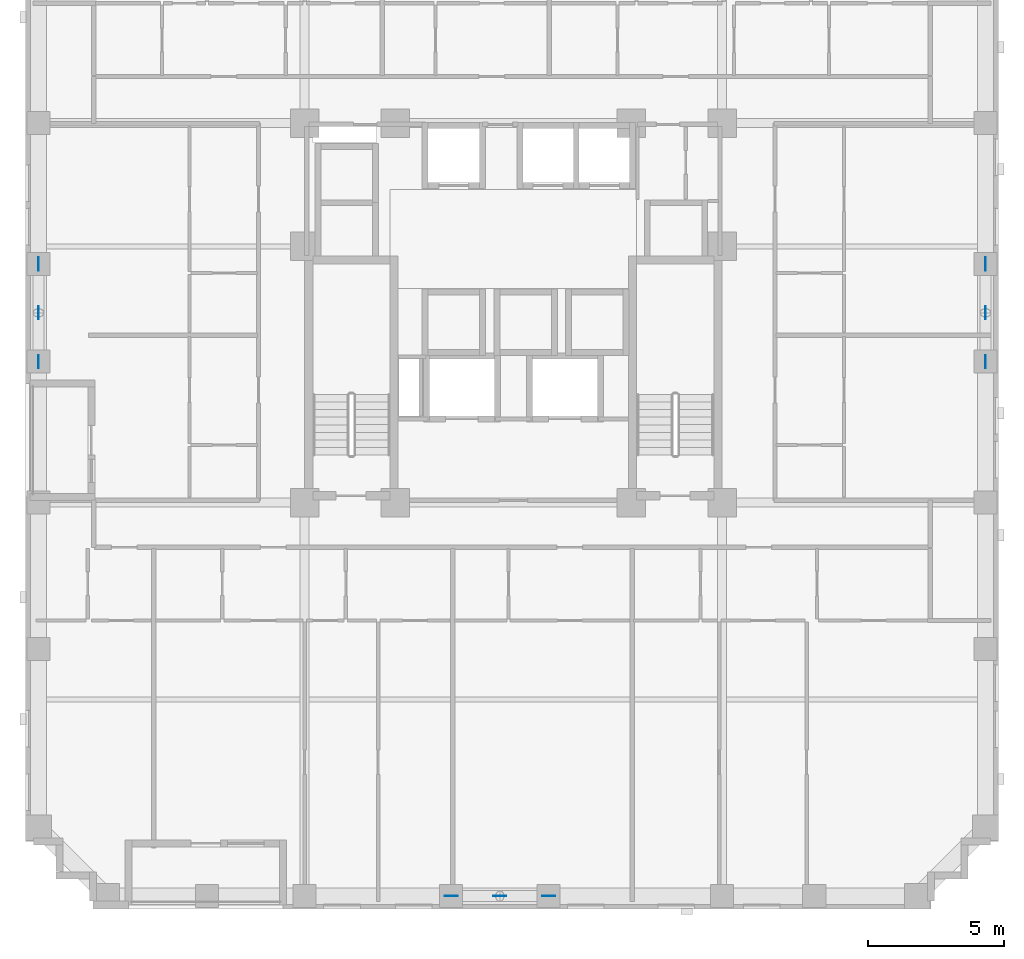
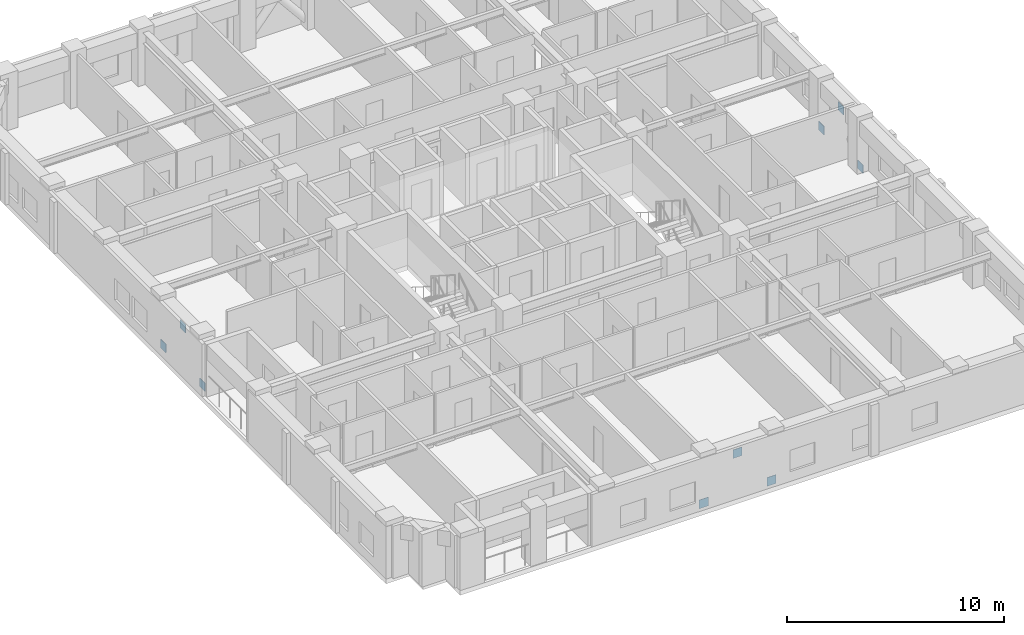
# One storey, part 9 of 12: 9 discrete accessories.
"""IFC4 building model written with IfcOpenShell, lengths in metres."""

from ifc_helpers import new_model, si_unit, derived_unit, direction, frame, origin, origin_2d, place, context, subcontext, project, spatial, rectangle, extrude, material, layer, layer_set, type_object, element, save


model = new_model("IFC4")

# Units and contexts
model_context = context("Model", 3, precision=1e-05, world=origin(), true_north=direction((0.0, 1.0)))
body_context = subcontext(model_context, "Body", "Model", "MODEL_VIEW")
ifc_project = project(units=[si_unit("LENGTHUNIT", "METRE"), si_unit("AREAUNIT", "SQUARE_METRE"), si_unit("VOLUMEUNIT", "CUBIC_METRE"), si_unit("PLANEANGLEUNIT", "RADIAN"), si_unit("MASSUNIT", "GRAM", prefix="KILO"), derived_unit("THERMALTRANSMITTANCEUNIT", [(si_unit("MASSUNIT", "GRAM", prefix="KILO"), 1), (si_unit("TIMEUNIT", "SECOND"), -3), (si_unit("THERMODYNAMICTEMPERATUREUNIT", "KELVIN"), -1)])], contexts=[model_context])

# Site, building, storey
site_placement = place(None, origin())
site = spatial("IfcSite", under=ifc_project, at=site_placement, CompositionType="ELEMENT")
building_placement = place(site_placement, origin())
building = spatial("IfcBuilding", under=site, at=building_placement, Name="Korrvale Station Residences", CompositionType="ELEMENT")
storey_placement = place(building_placement, frame((0.0, 0.0, 94.300048828125)))
storey = spatial("IfcBuildingStorey", under=building, at=storey_placement, Name="L26", CompositionType="ELEMENT", Elevation=94.300048828125)

# Discrete accessories
ifc_material = material(Name="Steel S355", Category="steel")
ifc_layer = layer(ifc_material, 0.02490234375, Name="Steel S355")
ifc_layer_set = layer_set([ifc_layer], Name="Steel S355")
discrete_accessory_type = type_object("IfcDiscreteAccessoryType", Name="ACC-GUSSET-25", PredefinedType="BRACKET", material=ifc_layer_set)
for number, where, z_axis, x_axis, name in (
    (1, (23.199951171875, 0.47998046875, -0.219970703125), (0.0, 0.0, 1.0), (1.0, 0.0, 0.0), "L26 S Brace End Gusset Connection A"),
    (2, (26.800048828125, 0.47998046875, -0.219970703125), (0.0, 0.0, 1.0), (1.0, 0.0, 0.0), "L26 S Brace End Gusset Connection B"),
    (3, (25.0, 0.47998046875, 1.969970703125), (0.0, 0.0, 1.0), (1.0, 0.0, 0.0), "L26 S Brace End Gusset Connection M"),
    (4, (7.97998046875, 20.199951171875, -0.219970703125), (0.0, 0.0, 1.0), (0.0, 1.0, 0.0), "L26 W Brace End Gusset Connection A"),
    (5, (7.97998046875, 23.800048828125, -0.219970703125), (0.0, 0.0, 1.0), (0.0, 1.0, 0.0), "L26 W Brace End Gusset Connection B"),
    (6, (7.97998046875, 22.0, 1.969970703125), (0.0, 0.0, 1.0), (0.0, 1.0, 0.0), "L26 W Brace End Gusset Connection M"),
    (7, (42.919921875, 20.199951171875, -0.219970703125), (0.0, 0.0, 1.0), (0.0, 1.0, 0.0), "L26 E Brace End Gusset Connection A"),
    (8, (42.919921875, 23.800048828125, -0.219970703125), (0.0, 0.0, 1.0), (0.0, 1.0, 0.0), "L26 E Brace End Gusset Connection B"),
    (9, (42.919921875, 22.0, 1.969970703125), (0.0, 0.0, 1.0), (0.0, 1.0, 0.0), "L26 E Brace End Gusset Connection M"),
):
    element("IfcDiscreteAccessory", number, at=place(storey_placement, frame(where, z_axis=z_axis, x_axis=x_axis)), inside=storey, type_object=discrete_accessory_type, Name=name, PredefinedType="BRACKET", context=body_context, shape_type="SweptSolid", body=[
        extrude(rectangle(XDim=0.47998046875, YDim=0.02490234375, at=origin_2d()), origin(), (0.0, 0.0, 1.0), 0.47998046875),
    ])

save(model, "model.ifc")
